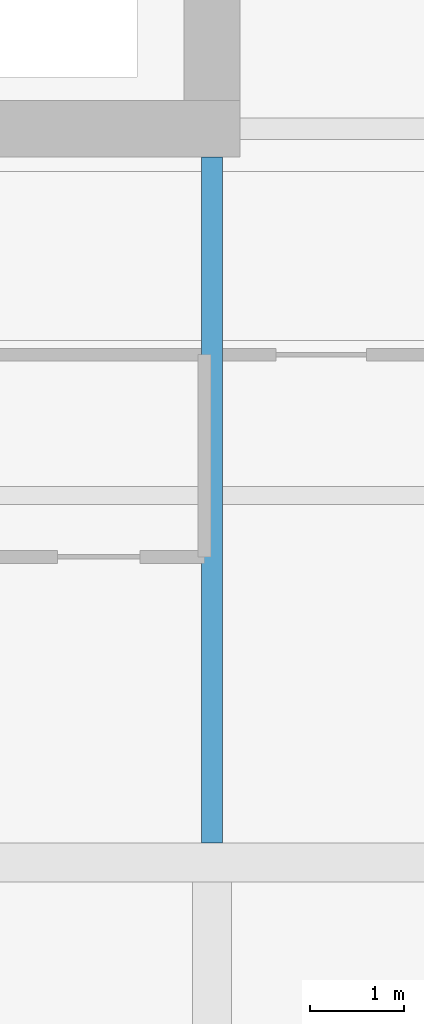
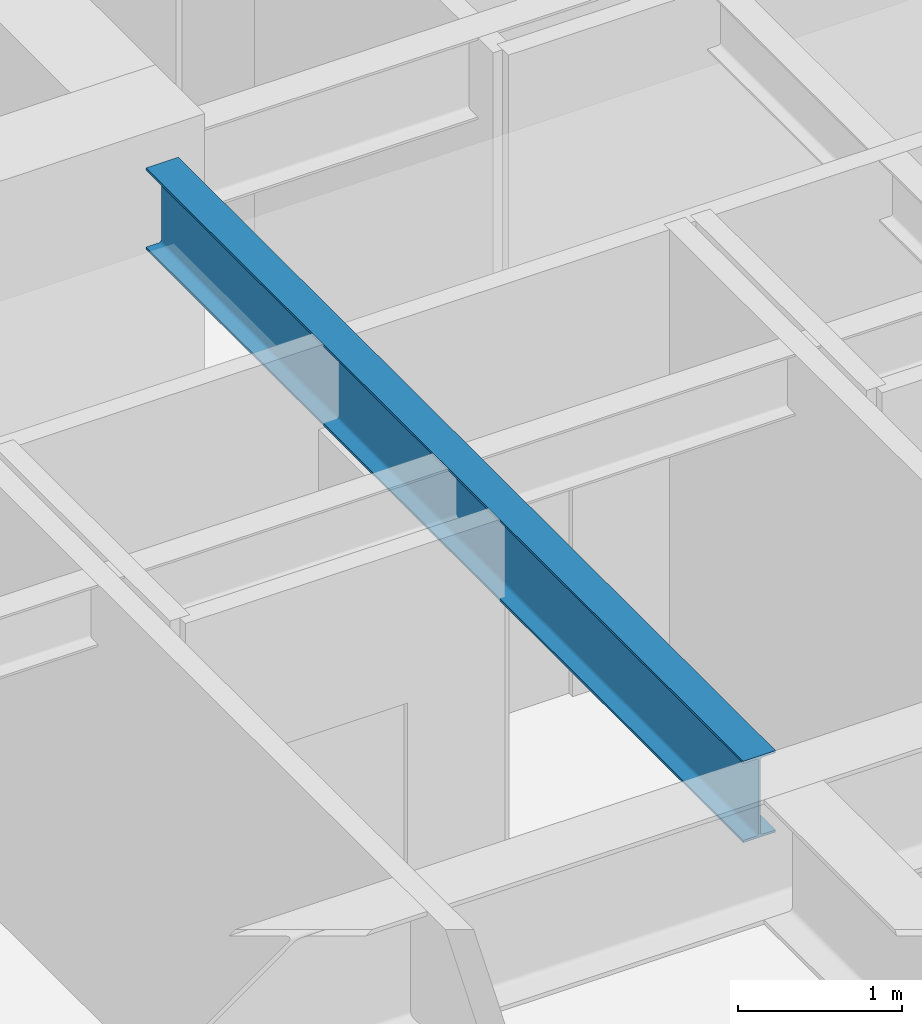
# One storey, part 12 of 42: 1 beam.
"""IFC4 building model written with IfcOpenShell, lengths in metres."""

from ifc_helpers import new_model, si_unit, direction, frame, origin, origin_2d, place, context, subcontext, project, spatial, i_section, extrude, material, material_profile, profile_set, type_object, element, save


model = new_model("IFC4")

# Units and contexts
model_context = context("Model", 3, precision=1e-05, world=origin(), true_north=direction((0.0, 1.0)))
body_context = subcontext(model_context, "Body", "Model", "MODEL_VIEW")
ifc_project = project(units=[si_unit("LENGTHUNIT", "METRE"), si_unit("AREAUNIT", "SQUARE_METRE"), si_unit("VOLUMEUNIT", "CUBIC_METRE"), si_unit("PLANEANGLEUNIT", "RADIAN"), si_unit("MASSUNIT", "GRAM", prefix="KILO")], contexts=[model_context])

# Site, building, storey
site_placement = place(None, origin())
site = spatial("IfcSite", under=ifc_project, at=site_placement, CompositionType="ELEMENT")
building_placement = place(site_placement, origin())
building = spatial("IfcBuilding", under=site, at=building_placement, Name="Drelvath Grand Hotel", CompositionType="ELEMENT")
storey_placement = place(building_placement, frame((0.0, 0.0, 33.199951171875)))
storey = spatial("IfcBuildingStorey", under=building, at=storey_placement, Name="L06", CompositionType="ELEMENT", Elevation=33.199951171875)

# Beam
ifc_material = material(Name="Steel ASTM A992 Gr 50", Category="steel")
ifc_material_profile = material_profile(ifc_material, i_section(OverallWidth=0.228271484375, OverallDepth=0.607666015625, WebThickness=0.01123046875, FlangeThickness=0.017333984375, FilletRadius=0.02001953125, at=origin_2d()), Name="W24X76")
ifc_profile_set = profile_set([ifc_material_profile], Name="Steel ASTM A992 Gr 50")
beam_type = type_object("IfcBeamType", Name="Primary Floor Girder W24X76", PredefinedType="BEAM", material=ifc_profile_set)
beam_placement = place(storey_placement, frame((8.39990234375, 11.00927734375, 2.936279296875), z_axis=(0.0, 1.0, 0.0), x_axis=(-1.0, 0.0, 0.0)))
element("IfcBeam", 1, at=beam_placement, inside=storey, type_object=beam_type, Name="L06 South Core Tie 6", PredefinedType="BEAM", context=body_context, shape_type="SweptSolid", body=[
    extrude(i_section(OverallWidth=0.228271484375, OverallDepth=0.607666015625, WebThickness=0.01123046875, FlangeThickness=0.017333984375, FilletRadius=0.02001953125, at=origin_2d()), origin(), (0.0, 0.0, 1.0), 7.290771484375),
])

save(model, "model.ifc")
